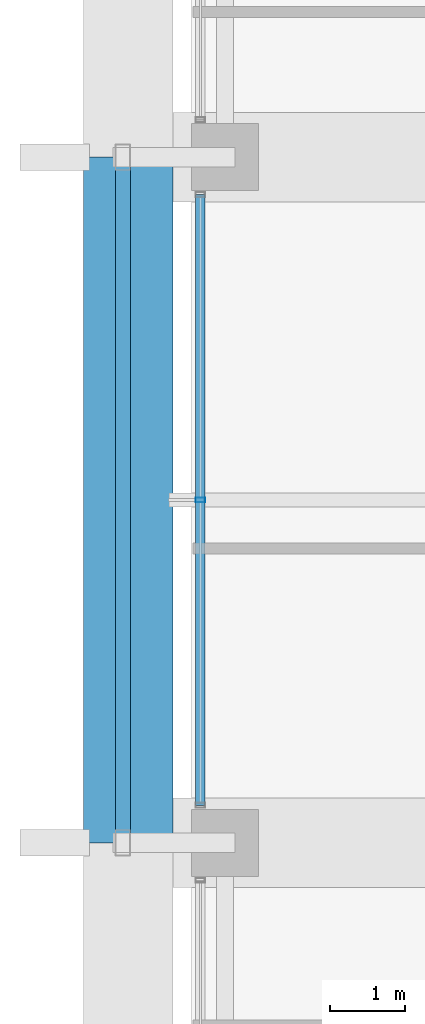
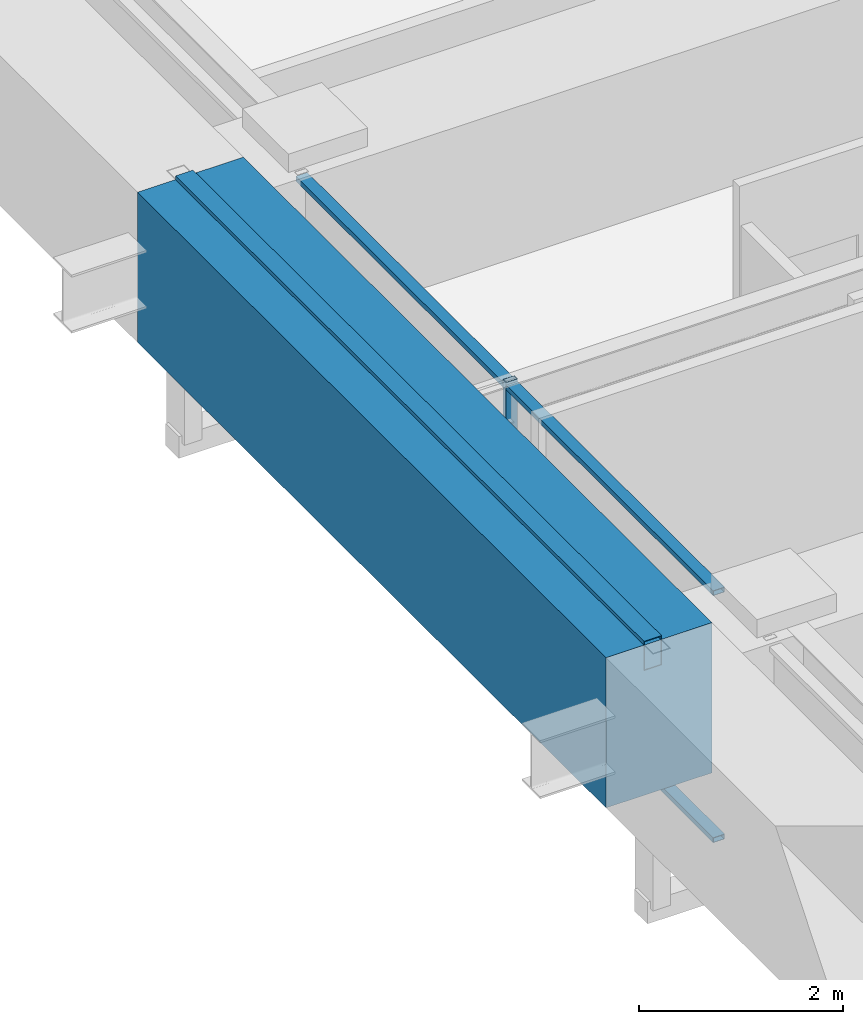
# One storey, part 10 of 40: 4 members, 1 beam, 1 element without a shape of its own.
"""IFC4 building model written with IfcOpenShell, lengths in metres."""

from ifc_helpers import new_model, si_unit, direction, frame, origin, origin_2d, place, context, subcontext, project, spatial, rectangle, hollow_rectangle, extrude, material, material_profile, profile_set, type_object, element, aggregate, save


model = new_model("IFC4")

# Units and contexts
model_context = context("Model", 3, precision=1e-05, world=origin(), true_north=direction((0.0, 1.0)))
body_context = subcontext(model_context, "Body", "Model", "MODEL_VIEW")
ifc_project = project(units=[si_unit("LENGTHUNIT", "METRE"), si_unit("AREAUNIT", "SQUARE_METRE"), si_unit("VOLUMEUNIT", "CUBIC_METRE"), si_unit("PLANEANGLEUNIT", "RADIAN"), si_unit("MASSUNIT", "GRAM", prefix="KILO")], contexts=[model_context])

# Site, building, storey
site_placement = place(None, origin())
site = spatial("IfcSite", under=ifc_project, at=site_placement, CompositionType="ELEMENT")
building_placement = place(site_placement, origin())
building = spatial("IfcBuilding", under=site, at=building_placement, Name="Kolvaren Belvedere", CompositionType="ELEMENT")
storey_placement = place(building_placement, frame((0.0, 0.0, 170.10009765625)))
storey = spatial("IfcBuildingStorey", under=building, at=storey_placement, Name="L49", CompositionType="ELEMENT", Elevation=170.10009765625)

# Beam
ifc_material_1 = material(Name="Concrete C50/60", Category="concrete")
ifc_material_profile_1 = material_profile(ifc_material_1, rectangle(XDim=1.199951171875, YDim=1.800048828125, at=origin_2d()), Name="RC 1200X1800")
ifc_profile_set_1 = profile_set([ifc_material_profile_1], Name="Concrete C50/60")
beam_type = type_object("IfcBeamType", Name="BM-TG-1800", PredefinedType="BEAM", material=ifc_profile_set_1)
beam_placement = place(storey_placement, frame((-19.949951171875, 4.60009765625, 2.179931640625), z_axis=(0.0, -1.0, 0.0), x_axis=(1.0, 0.0, 0.0)))
element("IfcBeam", 1, at=beam_placement, inside=storey, type_object=beam_type, Name="L49 Step Transfer Ring Girder W3-W2", PredefinedType="BEAM", context=body_context, shape_type="SweptSolid", body=[
    extrude(rectangle(XDim=1.199951171875, YDim=1.800048828125, at=origin_2d()), origin(), (0.0, 0.0, 1.0), 9.2001953125),
])

# Curtain wall, members
ifc_material_2 = material(Name="Anodised pale-metal aluminium AA 6063-T6", Category="aluminium")
curtain_wall_type = type_object("IfcCurtainWallType", Name="CW-Z3-WAIST", PredefinedType="NOTDEFINED", material=ifc_material_2)
curtain_wall_placement = place(storey_placement, origin())
curtain_wall = element("IfcCurtainWall", 2, at=curtain_wall_placement, inside=storey, type_object=curtain_wall_type, Name="L49 Unitised Curtain Wall FCW-L49-W-B2", PredefinedType="NOTDEFINED")
ifc_material_3 = material(Name="Anodised pale-metal aluminium AA 6063-T6", Category="aluminium")
ifc_material_profile_2 = material_profile(ifc_material_3, hollow_rectangle(XDim=0.06494140625, YDim=0.1298828125, WallThickness=0.00390625, at=origin_2d()), Name="ALU-MUL-130X65")
ifc_profile_set_2 = profile_set([ifc_material_profile_2], Name="Anodised pale-metal aluminium AA 6063-T6")
member_type_1 = type_object("IfcMemberType", Name="CW-MUL-130", PredefinedType="MULLION", material=ifc_profile_set_2)
member_1_placement = place(storey_placement, frame((-18.97998046875, 0.0, 0.0), z_axis=(0.0, 0.0, 1.0), x_axis=(0.0, 1.0, 0.0)))
member_1 = element("IfcMember", 3, at=member_1_placement, type_object=member_type_1, Name="FCW-L49-W-B2 Unitised Mullion 2", PredefinedType="MULLION", context=body_context, shape_type="SweptSolid", body=[
    extrude(hollow_rectangle(XDim=0.06494140625, YDim=0.1298828125, WallThickness=0.00390625, at=origin_2d()), origin(), (0.0, 0.0, 1.0), 3.079833984375),
])
ifc_material_4 = material(Name="Anodised pale-metal aluminium AA 6063-T6", Category="aluminium")
ifc_material_profile_3 = material_profile(ifc_material_4, hollow_rectangle(XDim=0.06005859375, YDim=0.1298828125, WallThickness=0.00390625, at=origin_2d()), Name="ALU-TRN-130X60")
ifc_profile_set_3 = profile_set([ifc_material_profile_3], Name="Anodised pale-metal aluminium AA 6063-T6")
member_type_2 = type_object("IfcMemberType", Name="CW-TRN-130", PredefinedType="USERDEFINED", material=ifc_profile_set_3)
member_2_placement = place(storey_placement, frame((-18.97998046875, -4.097412109375, 0.059814453125), z_axis=(0.0, 1.0, 0.0), x_axis=(0.0, 0.0, 1.0)))
member_2 = element("IfcMember", 4, at=member_2_placement, type_object=member_type_2, Name="FCW-L49-W-B2 Sill Transom", ObjectType="TRANSOM", PredefinedType="USERDEFINED", context=body_context, shape_type="SweptSolid", body=[
    extrude(hollow_rectangle(XDim=0.06005859375, YDim=0.1298828125, WallThickness=0.00390625, at=origin_2d()), origin(), (0.0, 0.0, 1.0), 8.19482421875),
])
member_3_placement = place(storey_placement, frame((-18.97998046875, -4.097412109375, 3.02001953125), z_axis=(0.0, 1.0, 0.0), x_axis=(0.0, 0.0, 1.0)))
member_3 = element("IfcMember", 5, at=member_3_placement, type_object=member_type_2, Name="FCW-L49-W-B2 Head Transom", ObjectType="TRANSOM", PredefinedType="USERDEFINED", context=body_context, shape_type="SweptSolid", body=[
    extrude(hollow_rectangle(XDim=0.06005859375, YDim=0.1298828125, WallThickness=0.00390625, at=origin_2d()), origin(), (0.0, 0.0, 1.0), 8.19482421875),
])
aggregate(curtain_wall, [member_1, member_2, member_3])

# Member
ifc_material_5 = material(Name="Anodised pale-metal aluminium AA 6063-T6", Category="aluminium")
ifc_material_profile_4 = material_profile(ifc_material_5, hollow_rectangle(XDim=0.199951171875, YDim=0.35009765625, WallThickness=0.007568359375, at=origin_2d()), Name="ALU-PF-350X200")
ifc_profile_set_4 = profile_set([ifc_material_profile_4], Name="Anodised pale-metal aluminium AA 6063-T6")
member_type_3 = type_object("IfcMemberType", Name="PF-FRAME-350", PredefinedType="USERDEFINED", material=ifc_profile_set_4)
member_4_placement = place(storey_placement, frame((-20.02001953125, -4.60009765625, 2.949951171875), z_axis=(0.0, 1.0, 0.0), x_axis=(-1.0, 0.0, 0.0)))
element("IfcMember", 6, at=member_4_placement, inside=storey, type_object=member_type_3, Name="L49 Outboard Picture-Frame Head W", ObjectType="PICTURE FRAME FIN", PredefinedType="USERDEFINED", context=body_context, shape_type="SweptSolid", body=[
    extrude(hollow_rectangle(XDim=0.199951171875, YDim=0.35009765625, WallThickness=0.007568359375, at=origin_2d()), origin(), (0.0, 0.0, 1.0), 9.2001953125),
])

save(model, "model.ifc")
